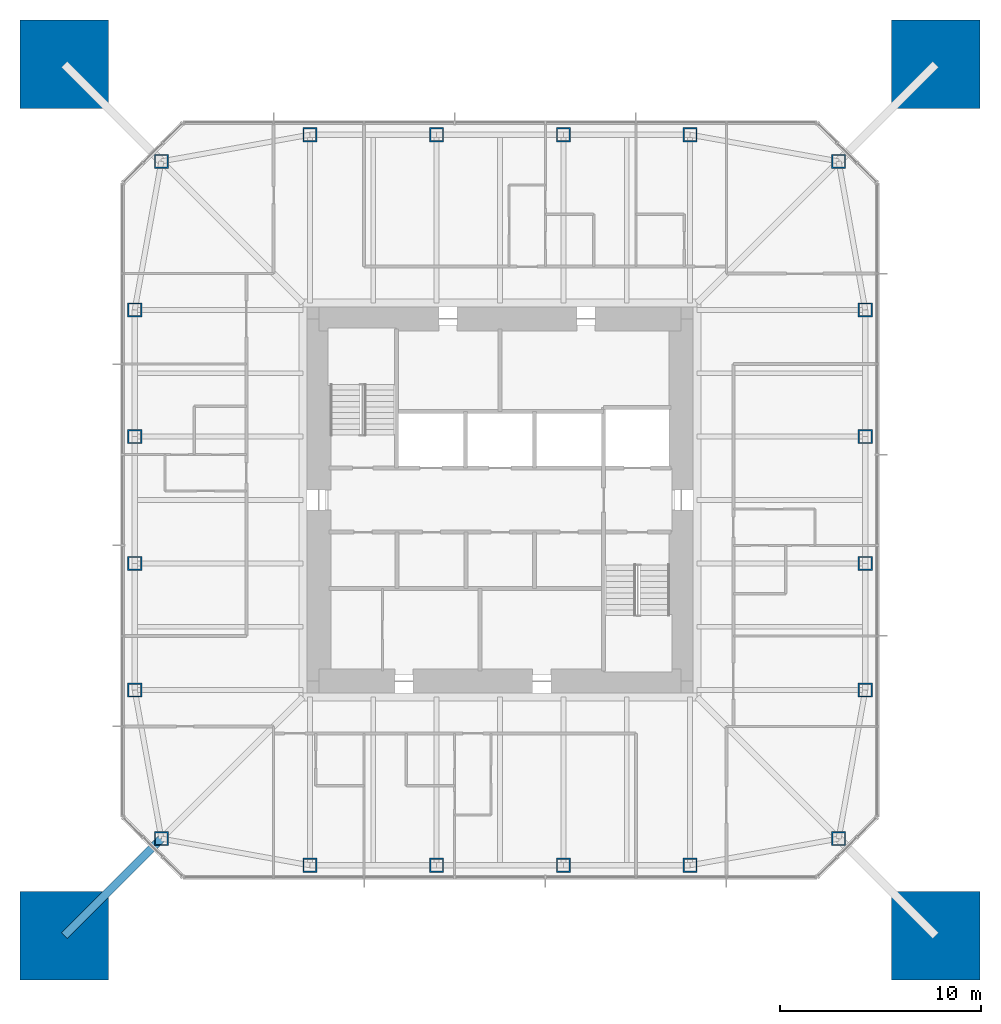
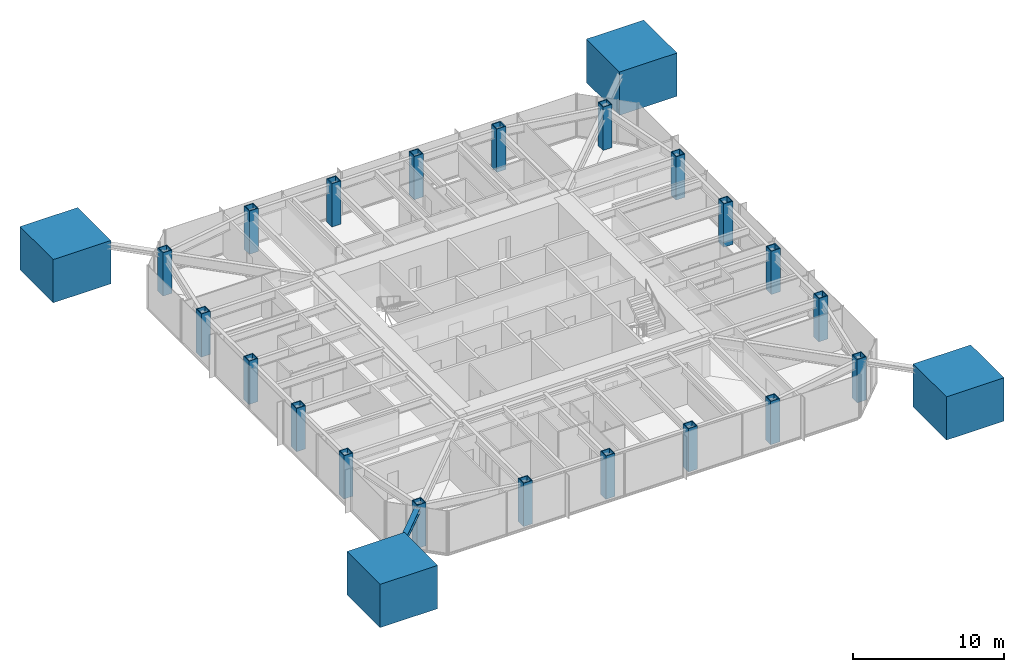
# One storey, part 1 of 11: 24 columns, 1 member.
"""IFC4 building model written with IfcOpenShell, lengths in metres."""

import ifcopenshell
import ifcopenshell.guid

model = None  # the IFC model being written
_history = None  # IfcOwnerHistory: only IFC2X3 demands one
_inside = {}  # id of a spatial element -> (the spatial element, [elements in it])
_under = {}  # id of a project, library or spatial element -> (it, [spatial elements below it])
_declared = {}  # id of a project -> (the project, [libraries it declares])
_typed = {}  # id of a type object -> (the type object, [elements of that type])
_made_of = {}  # id of a material, layer set ... -> (it, [elements and type objects made of it])


def new_model(schema):
    """Start an empty IFC model of exactly this schema.

    Asked for "IFC4X3", IfcOpenShell would pick the latest addendum, in which some entities
    have other attributes; the version numbers below select the first issue.
    IFC2X3 requires an IfcOwnerHistory on every rooted entity: one is made here for all.
    """
    global model, _history
    if schema == "IFC4X3":
        model = ifcopenshell.file(schema_version=(4, 3, 0, 0))
    else:
        model = ifcopenshell.file(schema=schema)
    _inside.clear()
    _under.clear()
    _declared.clear()
    _typed.clear()
    _made_of.clear()
    _history = None
    if model.schema == "IFC2X3":
        org = make("IfcOrganization", Name="unknown")
        user = make(
            "IfcPersonAndOrganization",
            ThePerson=make("IfcPerson", FamilyName="unknown"),
            TheOrganization=org,
        )
        app = make(
            "IfcApplication",
            ApplicationDeveloper=org,
            Version="unknown",
            ApplicationFullName="unknown",
            ApplicationIdentifier="unknown",
        )
        _history = make(
            "IfcOwnerHistory",
            OwningUser=user,
            OwningApplication=app,
            ChangeAction="ADDED",
            CreationDate=0,
        )
    return model


def make(cls, **values):
    """One entity of the class cls with the attributes given. An attribute that is None is left unset."""
    return model.create_entity(
        cls, **{name: value for name, value in values.items() if value is not None}
    )


def rooted(cls, **values):
    """An entity with a GlobalId (a new one), such as an element, a storey or a relation."""
    return make(cls, GlobalId=ifcopenshell.guid.new(), OwnerHistory=_history, **values)


def si_unit(unit_type, name, prefix=None):
    """IfcSIUnit, for example si_unit("LENGTHUNIT", "METRE", prefix="MILLI")."""
    return make("IfcSIUnit", UnitType=unit_type, Prefix=prefix, Name=name)


def assignment(units):
    """IfcUnitAssignment: the units of a project."""
    return None if units is None else make("IfcUnitAssignment", Units=units)


def point(xyz):
    """IfcCartesianPoint."""
    return None if xyz is None else make("IfcCartesianPoint", Coordinates=xyz)


def direction(xyz):
    """IfcDirection."""
    return None if xyz is None else make("IfcDirection", DirectionRatios=xyz)


def frame(location, z_axis=None, x_axis=None):
    """IfcAxis2Placement3D, a coordinate frame: its origin and axes. An axis left out is left unset."""
    return make(
        "IfcAxis2Placement3D",
        Location=point(location),
        Axis=direction(z_axis),
        RefDirection=direction(x_axis),
    )


def frame_2d(location, x_axis=None):
    """IfcAxis2Placement2D, a coordinate frame in the plane: its origin and x axis."""
    return make(
        "IfcAxis2Placement2D", Location=point(location), RefDirection=direction(x_axis)
    )


def origin():
    """The frame at (0, 0, 0) with its axes left unset."""
    return frame((0.0, 0.0, 0.0))


def origin_2d():
    """The frame at (0, 0) in the plane with its x axis left unset."""
    return frame_2d((0.0, 0.0))


def place(relative_to, where):
    """IfcLocalPlacement: puts the frame where relative to a parent placement (None: the world)."""
    return make(
        "IfcLocalPlacement", PlacementRelTo=relative_to, RelativePlacement=where
    )


def context(
    kind, dimensions, precision=None, world=None, true_north=None, identifier=None
):
    """IfcGeometricRepresentationContext, for example the 3D "Model" context."""
    return make(
        "IfcGeometricRepresentationContext",
        ContextIdentifier=identifier,
        ContextType=kind,
        CoordinateSpaceDimension=dimensions,
        Precision=precision,
        WorldCoordinateSystem=world,
        TrueNorth=true_north,
    )


def subcontext(parent, identifier, kind, view, scale=None):
    """IfcGeometricRepresentationSubContext, for example "Body" below "Model"."""
    return make(
        "IfcGeometricRepresentationSubContext",
        ContextIdentifier=identifier,
        ContextType=kind,
        ParentContext=parent,
        TargetScale=scale,
        TargetView=view,
    )


def project(units=None, contexts=None):
    """IfcProject with its units and contexts."""
    return rooted(
        "IfcProject",
        Name="project",
        RepresentationContexts=contexts,
        UnitsInContext=assignment(units),
    )


def spatial(cls, under=None, at=None, **own):
    """A site, building, storey or space (cls), placed at a placement, below another one or the project."""
    s = rooted(cls, ObjectPlacement=at, **own)
    if under is not None:
        _under.setdefault(under.id(), (under, []))[1].append(s)
    return s


def profile(cls, at=None, kind="AREA", **sizes):
    """A parametric profile (cls). Its sizes go by their IFC names, for example OverallWidth=200.0."""
    return make(cls, ProfileType=kind, Position=at, **sizes)


def rectangle(**sizes):
    """IfcRectangleProfileDef."""
    return profile("IfcRectangleProfileDef", **sizes)


def hollow_rectangle(**sizes):
    """IfcRectangleHollowProfileDef."""
    return profile("IfcRectangleHollowProfileDef", **sizes)


def i_section(**sizes):
    """IfcIShapeProfileDef."""
    return profile("IfcIShapeProfileDef", **sizes)


def extrude(swept, where, along, depth):
    """IfcExtrudedAreaSolid: the profile swept, set in the frame where, extruded along a direction by depth."""
    return make(
        "IfcExtrudedAreaSolid",
        SweptArea=swept,
        Position=where,
        ExtrudedDirection=direction(along),
        Depth=depth,
    )


def shape(context_of_items, identifier, shape_type, items):
    """IfcShapeRepresentation: the items that make up one representation, for example the "Body"."""
    return make(
        "IfcShapeRepresentation",
        ContextOfItems=context_of_items,
        RepresentationIdentifier=identifier,
        RepresentationType=shape_type,
        Items=items,
    )


def material(Name=None, Category=None):
    """IfcMaterial."""
    return make("IfcMaterial", Name=Name, Category=Category)


def material_profile(
    of_material, cross_section, Name=None, Category=None, Priority=None
):
    """IfcMaterialProfile: a cross section and its material."""
    return make(
        "IfcMaterialProfile",
        Name=Name,
        Material=of_material,
        Profile=cross_section,
        Priority=Priority,
        Category=Category,
    )


def profile_set(profiles, Name=None, composite=None):
    """IfcMaterialProfileSet."""
    return make(
        "IfcMaterialProfileSet",
        Name=Name,
        MaterialProfiles=profiles,
        CompositeProfile=composite,
    )


def made_of(thing, what):
    """Note that an element or type object is made of a material, layer set ...; save() writes the relation."""
    if what is not None:
        _made_of.setdefault(what.id(), (what, []))[1].append(thing)
    return thing


def type_object(cls, material=None, **own):
    """A type object (cls), such as IfcWallType, which elements share."""
    return made_of(rooted(cls, **own), material)


def element(
    cls,
    number,
    at=None,
    inside=None,
    cuts=None,
    type_object=None,
    material=None,
    context=None,
    identifier="Body",
    shape_type=None,
    held_by="IfcProductDefinitionShape",
    body=None,
    shapes=None,
    **own,
):
    """One element of the class cls, such as IfcWall. Its Tag is "e" and its number.

    at: its placement. inside: the storey or other place that contains it. cuts: it is an
    opening in that element (IfcRelVoidsElement). A single representation is given by context,
    identifier, shape_type and body (its items); several are given by shapes. held_by: the class
    of the entity that holds the representations. save() writes the other relations.
    """
    e = rooted(cls, Tag="e%d" % number, ObjectPlacement=at, **own)
    if body is not None:
        shapes = [shape(context, identifier, shape_type, body)]
    if shapes is not None:
        e.Representation = make(held_by, Representations=shapes)
    if inside is not None:
        _inside.setdefault(inside.id(), (inside, []))[1].append(e)
    if cuts is not None:
        rooted(
            "IfcRelVoidsElement", RelatingBuildingElement=cuts, RelatedOpeningElement=e
        )
    if type_object is not None:
        _typed.setdefault(type_object.id(), (type_object, []))[1].append(e)
    return made_of(e, material)


def aggregate(whole, parts):
    """IfcRelAggregates: a whole, such as a stair, and the parts it consists of."""
    return rooted("IfcRelAggregates", RelatingObject=whole, RelatedObjects=parts)


def save(model, path):
    """Write the relations noted so far, then the file.

    IfcRelAggregates (storeys below a building ...), IfcRelContainedInSpatialStructure (elements
    in a storey), IfcRelDefinesByType, IfcRelAssociatesMaterial and IfcRelDeclares: one each for
    every whole, place, type object, material and project.
    """
    for whole, parts in _under.values():
        aggregate(whole, parts)
    for where, things in _inside.values():
        rooted(
            "IfcRelContainedInSpatialStructure",
            RelatedElements=things,
            RelatingStructure=where,
        )
    for kind, things in _typed.values():
        rooted("IfcRelDefinesByType", RelatedObjects=things, RelatingType=kind)
    for what, things in _made_of.values():
        rooted("IfcRelAssociatesMaterial", RelatedObjects=things, RelatingMaterial=what)
    for by, libraries in _declared.values():
        rooted("IfcRelDeclares", RelatingContext=by, RelatedDefinitions=libraries)
    model.write(path)


model = new_model("IFC4")

# Units and contexts
model_context = context("Model", 3, precision=1e-05, world=origin(), true_north=direction((0.0, 1.0)))
body_context = subcontext(model_context, "Body", "Model", "MODEL_VIEW")
ifc_project = project(units=[si_unit("LENGTHUNIT", "METRE"), si_unit("AREAUNIT", "SQUARE_METRE"), si_unit("VOLUMEUNIT", "CUBIC_METRE"), si_unit("PLANEANGLEUNIT", "RADIAN"), si_unit("MASSUNIT", "GRAM", prefix="KILO")], contexts=[model_context])

# Site, building, storey
site_placement = place(None, origin())
site = spatial("IfcSite", under=ifc_project, at=site_placement, CompositionType="ELEMENT")
building_placement = place(site_placement, origin())
building = spatial("IfcBuilding", under=site, at=building_placement, Name="Iwan Alto Co-Living Towers", CompositionType="ELEMENT")
storey_placement = place(building_placement, frame((0.0, 0.0, 188.0)))
storey = spatial("IfcBuildingStorey", under=building, at=storey_placement, Name="L51", CompositionType="ELEMENT", Elevation=188.0)

# Columns
ifc_material_1 = material(Name="Concrete f'c 70 MPa", Category="concrete")
ifc_material_profile_1 = material_profile(ifc_material_1, rectangle(XDim=4.39990234375, YDim=4.39990234375, at=origin_2d()), Name="RC 4400X4400")
ifc_profile_set_1 = profile_set([ifc_material_profile_1], Name="Concrete f'c 70 MPa")
column_type_1 = type_object("IfcColumnType", Name="T1 MEGA COLUMN RC 4400X4400", PredefinedType="COLUMN", material=ifc_profile_set_1)
for number, where, z_axis, x_axis, name in (
    (1, (-21.64990234375, -21.64990234375, 0.0), (0.0, 0.0, 1.0), (1.0, 0.0, 0.0), "T1 mega column SW L51"),
    (2, (21.64990234375, -21.64990234375, 0.0), (0.0, 0.0, 1.0), (1.0, 0.0, 0.0), "T1 mega column SE L51"),
    (3, (21.64990234375, 21.64990234375, 0.0), (0.0, 0.0, 1.0), (1.0, 0.0, 0.0), "T1 mega column NE L51"),
    (4, (-21.64990234375, 21.64990234375, 0.0), (0.0, 0.0, 1.0), (1.0, 0.0, 0.0), "T1 mega column NW L51"),
):
    element("IfcColumn", number, at=place(storey_placement, frame(where, z_axis=z_axis, x_axis=x_axis)), inside=storey, type_object=column_type_1, Name=name, PredefinedType="COLUMN", context=body_context, shape_type="SweptSolid", body=[
        extrude(rectangle(XDim=4.39990234375, YDim=4.39990234375, at=origin_2d()), origin(), (0.0, 0.0, 1.0), 3.5),
        extrude(i_section(OverallWidth=0.4775390625, OverallDepth=0.599365234375, WebThickness=0.10009765625, FlangeThickness=0.139892578125, at=origin_2d()), origin(), (0.0, 0.0, 1.0), 3.5),
    ])
ifc_material_2 = material(Name="Steel ASTM A572 Gr 50", Category="steel")
ifc_material_profile_2 = material_profile(ifc_material_2, hollow_rectangle(XDim=0.699951171875, YDim=0.699951171875, WallThickness=0.06005859375, at=origin_2d()), Name="BOX 700X700X60")
ifc_profile_set_2 = profile_set([ifc_material_profile_2], Name="Steel ASTM A572 Gr 50")
column_type_2 = type_object("IfcColumnType", Name="T1 RING COLUMN BOX 700X700X60", PredefinedType="COLUMN", material=ifc_profile_set_2)
for number, where, z_axis, x_axis, name in (
    (5, (-16.82568359375, -16.82568359375, 0.0), (0.0, 0.0, 1.0), (1.0, 0.0, 0.0), "T1 ring column CSW L51"),
    (6, (-9.449951171875, -18.14990234375, 0.0), (0.0, 0.0, 1.0), (1.0, 0.0, 0.0), "T1 ring column S1 L51"),
    (7, (-3.14990234375, -18.14990234375, 0.0), (0.0, 0.0, 1.0), (1.0, 0.0, 0.0), "T1 ring column S2 L51"),
    (8, (3.14990234375, -18.14990234375, 0.0), (0.0, 0.0, 1.0), (1.0, 0.0, 0.0), "T1 ring column S3 L51"),
    (9, (9.449951171875, -18.14990234375, 0.0), (0.0, 0.0, 1.0), (1.0, 0.0, 0.0), "T1 ring column S4 L51"),
    (10, (16.82568359375, -16.82568359375, 0.0), (0.0, 0.0, 1.0), (1.0, 0.0, 0.0), "T1 ring column CSE L51"),
    (11, (18.14990234375, -9.449951171875, 0.0), (0.0, 0.0, 1.0), (1.0, 0.0, 0.0), "T1 ring column E1 L51"),
    (12, (18.14990234375, -3.14990234375, 0.0), (0.0, 0.0, 1.0), (1.0, 0.0, 0.0), "T1 ring column E2 L51"),
    (13, (18.14990234375, 3.14990234375, 0.0), (0.0, 0.0, 1.0), (1.0, 0.0, 0.0), "T1 ring column E3 L51"),
    (14, (18.14990234375, 9.449951171875, 0.0), (0.0, 0.0, 1.0), (1.0, 0.0, 0.0), "T1 ring column E4 L51"),
    (15, (16.82568359375, 16.82568359375, 0.0), (0.0, 0.0, 1.0), (1.0, 0.0, 0.0), "T1 ring column CNE L51"),
    (16, (9.449951171875, 18.14990234375, 0.0), (0.0, 0.0, 1.0), (1.0, 0.0, 0.0), "T1 ring column N1 L51"),
    (17, (3.14990234375, 18.14990234375, 0.0), (0.0, 0.0, 1.0), (1.0, 0.0, 0.0), "T1 ring column N2 L51"),
    (18, (-3.14990234375, 18.14990234375, 0.0), (0.0, 0.0, 1.0), (1.0, 0.0, 0.0), "T1 ring column N3 L51"),
    (19, (-9.449951171875, 18.14990234375, 0.0), (0.0, 0.0, 1.0), (1.0, 0.0, 0.0), "T1 ring column N4 L51"),
    (20, (-16.82568359375, 16.82568359375, 0.0), (0.0, 0.0, 1.0), (1.0, 0.0, 0.0), "T1 ring column CNW L51"),
    (21, (-18.14990234375, 9.449951171875, 0.0), (0.0, 0.0, 1.0), (1.0, 0.0, 0.0), "T1 ring column W1 L51"),
    (22, (-18.14990234375, 3.14990234375, 0.0), (0.0, 0.0, 1.0), (1.0, 0.0, 0.0), "T1 ring column W2 L51"),
    (23, (-18.14990234375, -3.14990234375, 0.0), (0.0, 0.0, 1.0), (1.0, 0.0, 0.0), "T1 ring column W3 L51"),
    (24, (-18.14990234375, -9.449951171875, 0.0), (0.0, 0.0, 1.0), (1.0, 0.0, 0.0), "T1 ring column W4 L51"),
):
    element("IfcColumn", number, at=place(storey_placement, frame(where, z_axis=z_axis, x_axis=x_axis)), inside=storey, type_object=column_type_2, Name=name, PredefinedType="COLUMN", context=body_context, shape_type="SweptSolid", body=[
        extrude(hollow_rectangle(XDim=0.699951171875, YDim=0.699951171875, WallThickness=0.06005859375, at=origin_2d()), origin(), (0.0, 0.0, 1.0), 3.5),
    ])

# Member
ifc_material_3 = material(Name="Steel ASTM A992 Gr 50", Category="steel")
ifc_material_profile_3 = material_profile(ifc_material_3, i_section(OverallWidth=0.393798828125, OverallDepth=0.3759765625, WebThickness=0.017333984375, FlangeThickness=0.027587890625, at=origin_2d()), Name="W14X145")
ifc_profile_set_3 = profile_set([ifc_material_profile_3], Name="Steel ASTM A992 Gr 50")
member_type = type_object("IfcMemberType", Name="T1 MEGA COLUMN FLOOR TIE W14X145", PredefinedType="STRUT", material=ifc_profile_set_3)
member_placement = place(storey_placement, frame((-21.64990234375, -21.64990234375, 3.08203125), z_axis=(0.707106781187, 0.707106781187, 0.0), x_axis=(-0.707106781187, 0.707106781187, 0.0)))
element("IfcMember", 25, at=member_placement, inside=storey, type_object=member_type, Name="T1 mega column floor tie SW L52", PredefinedType="STRUT", context=body_context, shape_type="SweptSolid", body=[
    extrude(i_section(OverallWidth=0.393798828125, OverallDepth=0.3759765625, WebThickness=0.017333984375, FlangeThickness=0.027587890625, at=origin_2d()), origin(), (0.0, 0.0, 1.0), 6.822509765625),
])

save(model, "model.ifc")
